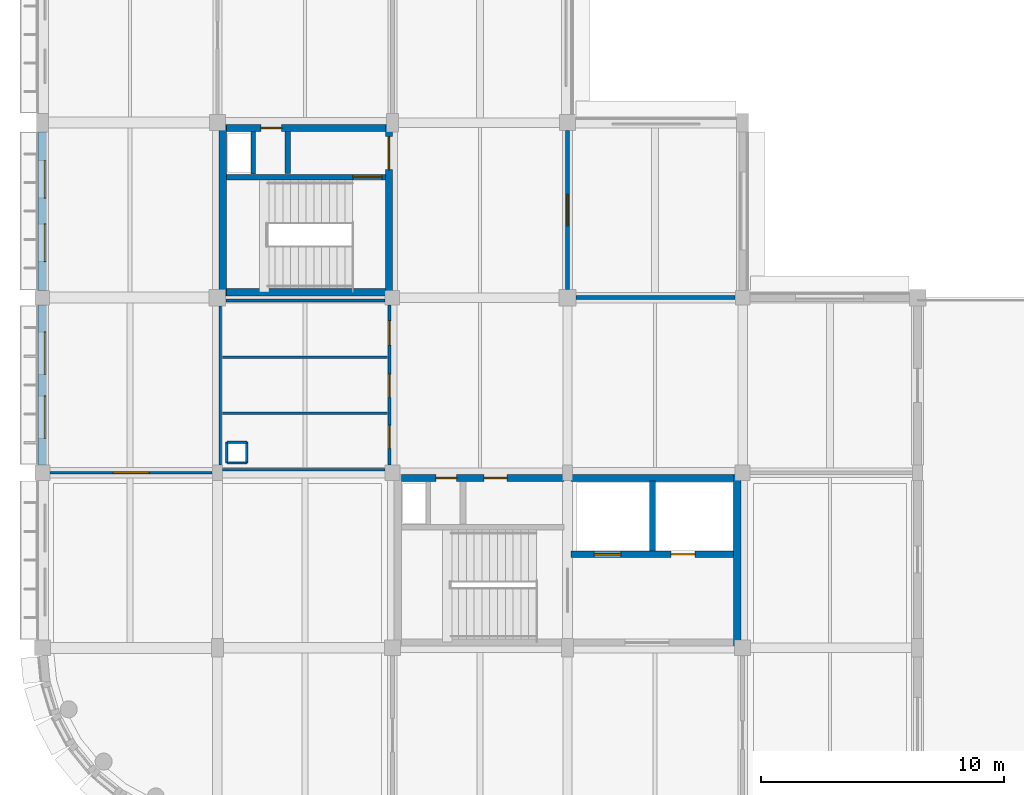
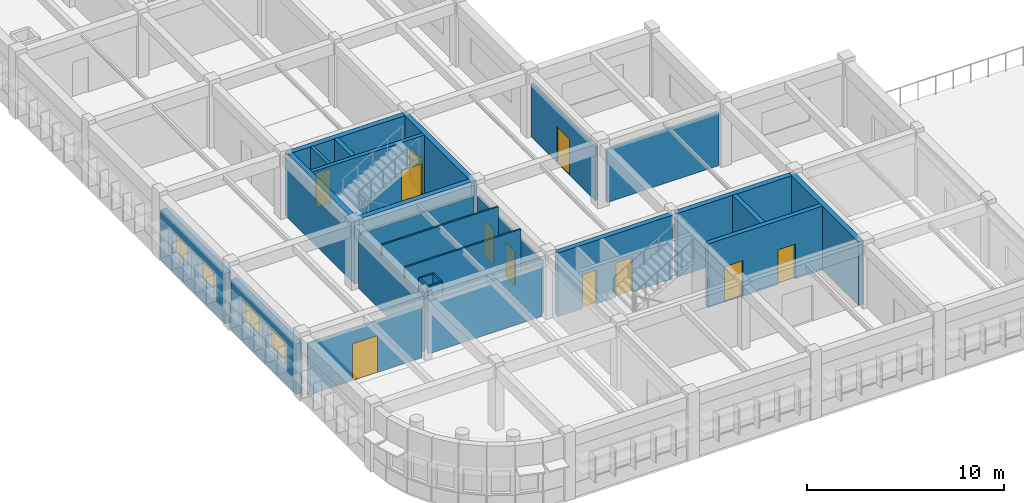
# One storey, part 81 of 103: 27 walls, 12 doors, 4 windows, 16 openings.
"""IFC4 building model written with IfcOpenShell, lengths in metres."""

from ifc_helpers import new_model, si_unit, direction, frame, frame_2d, origin, place, context, subcontext, project, spatial, rectangle, extrude, material, layer, layer_set, type_object, element, fill, save


model = new_model("IFC4")

# Units and contexts
model_context = context("Model", 3, precision=1e-05, world=origin(), true_north=direction((0.0, 1.0)))
body_context = subcontext(model_context, "Body", "Model", "MODEL_VIEW")
ifc_project = project(units=[si_unit("LENGTHUNIT", "METRE"), si_unit("AREAUNIT", "SQUARE_METRE"), si_unit("VOLUMEUNIT", "CUBIC_METRE"), si_unit("PLANEANGLEUNIT", "RADIAN"), si_unit("MASSUNIT", "GRAM", prefix="KILO")], contexts=[model_context])

# Site, building, storey
site_placement = place(None, origin())
site = spatial("IfcSite", under=ifc_project, at=site_placement, CompositionType="ELEMENT")
building_placement = place(site_placement, origin())
building = spatial("IfcBuilding", under=site, at=building_placement, Name="Thalmaran Polytechnic", CompositionType="ELEMENT")
storey_placement = place(building_placement, frame((0.0, 0.0, 14.39990234375)))
storey = spatial("IfcBuildingStorey", under=building, at=storey_placement, Name="L03", CompositionType="ELEMENT", Elevation=14.39990234375)

# Wall, openings, windows
ifc_material_1 = material(Name="Precast concrete C40/50", Category="concrete")
ifc_layer_1 = layer(ifc_material_1, 0.360107421875, Name="Precast concrete C40/50")
ifc_layer_set_1 = layer_set([ifc_layer_1], Name="Precast concrete C40/50")
wall_type_1 = type_object("IfcWallType", Name="WL-EW01", PredefinedType="STANDARD", material=ifc_layer_set_1)
wall_1_placement = place(storey_placement, frame((0.0, 14.7099609375, 0.0), z_axis=(0.0, 0.0, 1.0), x_axis=(0.0, 1.0, 0.0)))
wall_1 = element("IfcWall", 1, at=wall_1_placement, inside=storey, type_object=wall_type_1, Name="Exterior Precast Facade Wall L03-031", PredefinedType="STANDARD", context=body_context, shape_type="SweptSolid", body=[
    extrude(rectangle(XDim=6.590087890625, YDim=0.360107421875, at=frame_2d((3.294921875, 0.0))), origin(), (0.0, 0.0, 1.0), 3.135009765625),
])
opening_1_placement = place(wall_1_placement, frame((1.10205078125, 0.0, 1.14990234375)))
opening_1 = element("IfcOpeningElement", 2, at=opening_1_placement, cuts=wall_1, Name="Opening VW08", PredefinedType="OPENING", context=body_context, shape_type="SweptSolid", body=[
    extrude(rectangle(XDim=1.75, YDim=1.39990234375, at=frame_2d((0.875, 0.699951171875))), frame((0.0, 0.18994140625, 0.0), z_axis=(0.0, -1.0, 0.0), x_axis=(1.0, 0.0, 0.0)), (0.0, 0.0, 1.0), 0.380126953125),
])
opening_2_placement = place(wall_1_placement, frame((3.738037109375, 0.0, 1.14990234375)))
opening_2 = element("IfcOpeningElement", 3, at=opening_2_placement, cuts=wall_1, Name="Opening VW08", PredefinedType="OPENING", context=body_context, shape_type="SweptSolid", body=[
    extrude(rectangle(XDim=1.75, YDim=1.39990234375, at=frame_2d((0.875, 0.699951171875))), frame((0.0, 0.18994140625, 0.0), z_axis=(0.0, -1.0, 0.0), x_axis=(1.0, 0.0, 0.0)), (0.0, 0.0, 1.0), 0.380126953125),
])
ifc_material_2 = material(Name="Thermally broken aluminium and double low-E glass", Category="aluminium")
window_type_1 = type_object("IfcWindowType", Name="WN-VZ08", PartitioningType="SINGLE_PANEL", PredefinedType="WINDOW", material=ifc_material_2)
window_1_placement = place(opening_1_placement, origin())
window_1 = element("IfcWindow", 4, at=window_1_placement, inside=storey, type_object=window_type_1, Name="Deep-Set Solar-Screened Window W-0422", OverallHeight=1.39990234375, OverallWidth=1.75, PartitioningType="SINGLE_PANEL", PredefinedType="WINDOW", context=body_context, shape_type="SweptSolid", body=[
    extrude(rectangle(XDim=1.75, YDim=1.39990234375, at=frame_2d((0.875, 0.699951171875))), frame((0.0, -0.080078125, 0.0), z_axis=(0.0, -1.0, 0.0), x_axis=(1.0, 0.0, 0.0)), (0.0, 0.0, 1.0), 0.06005859375),
])
fill(opening_1, window_1)
window_2_placement = place(opening_2_placement, origin())
window_2 = element("IfcWindow", 5, at=window_2_placement, inside=storey, type_object=window_type_1, Name="Deep-Set Solar-Screened Window W-0423", OverallHeight=1.39990234375, OverallWidth=1.75, PartitioningType="SINGLE_PANEL", PredefinedType="WINDOW", context=body_context, shape_type="SweptSolid", body=[
    extrude(rectangle(XDim=1.75, YDim=1.39990234375, at=frame_2d((0.875, 0.699951171875))), frame((0.0, -0.080078125, 0.0), z_axis=(0.0, -1.0, 0.0), x_axis=(1.0, 0.0, 0.0)), (0.0, 0.0, 1.0), 0.06005859375),
])
fill(opening_2, window_2)

wall_2_placement = place(storey_placement, frame((0.0, 21.89990234375, 0.0), z_axis=(0.0, 0.0, 1.0), x_axis=(0.0, 1.0, 0.0)))
wall_2 = element("IfcWall", 6, at=wall_2_placement, inside=storey, type_object=wall_type_1, Name="Exterior Precast Facade Wall L03-032", PredefinedType="STANDARD", context=body_context, shape_type="SweptSolid", body=[
    extrude(rectangle(XDim=6.525146484375, YDim=0.360107421875, at=frame_2d((3.2626953125, 0.0))), origin(), (0.0, 0.0, 1.0), 3.135009765625),
])
opening_3_placement = place(wall_2_placement, frame((1.1826171875, 0.0, 1.14990234375)))
opening_3 = element("IfcOpeningElement", 7, at=opening_3_placement, cuts=wall_2, Name="Opening VW09", PredefinedType="OPENING", context=body_context, shape_type="SweptSolid", body=[
    extrude(rectangle(XDim=1.550048828125, YDim=1.35009765625, at=frame_2d((0.77490234375, 0.675048828125))), frame((0.0, 0.18994140625, 0.0), z_axis=(0.0, -1.0, 0.0), x_axis=(1.0, 0.0, 0.0)), (0.0, 0.0, 1.0), 0.380126953125),
])
opening_4_placement = place(wall_2_placement, frame((3.79248046875, 0.0, 1.14990234375)))
opening_4 = element("IfcOpeningElement", 8, at=opening_4_placement, cuts=wall_2, Name="Opening VW09", PredefinedType="OPENING", context=body_context, shape_type="SweptSolid", body=[
    extrude(rectangle(XDim=1.550048828125, YDim=1.35009765625, at=frame_2d((0.77490234375, 0.675048828125))), frame((0.0, 0.18994140625, 0.0), z_axis=(0.0, -1.0, 0.0), x_axis=(1.0, 0.0, 0.0)), (0.0, 0.0, 1.0), 0.380126953125),
])
window_type_2 = type_object("IfcWindowType", Name="WN-VZ09", PartitioningType="SINGLE_PANEL", PredefinedType="WINDOW", material=ifc_material_2)
window_3_placement = place(opening_3_placement, origin())
window_3 = element("IfcWindow", 9, at=window_3_placement, inside=storey, type_object=window_type_2, Name="Deep-Set Solar-Screened Window W-0424", OverallHeight=1.35009765625, OverallWidth=1.550048828125, PartitioningType="SINGLE_PANEL", PredefinedType="WINDOW", context=body_context, shape_type="SweptSolid", body=[
    extrude(rectangle(XDim=1.550048828125, YDim=1.35009765625, at=frame_2d((0.77490234375, 0.675048828125))), frame((0.0, -0.080078125, 0.0), z_axis=(0.0, -1.0, 0.0), x_axis=(1.0, 0.0, 0.0)), (0.0, 0.0, 1.0), 0.06005859375),
])
fill(opening_3, window_3)
window_4_placement = place(opening_4_placement, origin())
window_4 = element("IfcWindow", 10, at=window_4_placement, inside=storey, type_object=window_type_2, Name="Deep-Set Solar-Screened Window W-0425", OverallHeight=1.35009765625, OverallWidth=1.550048828125, PartitioningType="SINGLE_PANEL", PredefinedType="WINDOW", context=body_context, shape_type="SweptSolid", body=[
    extrude(rectangle(XDim=1.550048828125, YDim=1.35009765625, at=frame_2d((0.77490234375, 0.675048828125))), frame((0.0, -0.080078125, 0.0), z_axis=(0.0, -1.0, 0.0), x_axis=(1.0, 0.0, 0.0)), (0.0, 0.0, 1.0), 0.06005859375),
])
fill(opening_4, window_4)

# Walls
ifc_material_3 = material(Name="Autoclaved aerated masonry", Category="masonry")
ifc_layer_2 = layer(ifc_material_3, 0.25, Name="Autoclaved aerated masonry")
ifc_layer_set_2 = layer_set([ifc_layer_2], Name="Autoclaved aerated masonry")
wall_type_2 = type_object("IfcWallType", Name="WL-IW01", PredefinedType="PARTITIONING", material=ifc_layer_set_2)
wall_3_placement = place(storey_placement, frame((25.10009765625, 11.179931640625, 0.0), z_axis=(0.0, 0.0, 1.0), x_axis=(0.0, 1.0, 0.0)))
element("IfcWall", 11, at=wall_3_placement, inside=storey, type_object=wall_type_2, Name="Core C1 Shaft Dividing Wall L03", PredefinedType="PARTITIONING", context=body_context, shape_type="SweptSolid", body=[
    extrude(rectangle(XDim=2.8701171875, YDim=0.25, at=frame_2d((1.43505859375, 0.0))), origin(), (0.0, 0.0, 1.0), 3.940185546875),
])
ifc_layer_3 = layer(ifc_material_3, 0.22998046875, Name="Autoclaved aerated masonry")
ifc_layer_set_3 = layer_set([ifc_layer_3], Name="Autoclaved aerated masonry")
wall_type_3 = type_object("IfcWallType", Name="WL-IW02", PredefinedType="PARTITIONING", material=ifc_layer_set_3)
wall_4_placement = place(storey_placement, frame((10.10009765625, 26.699951171875, 0.0), z_axis=(0.0, 0.0, 1.0), x_axis=(0.0, 1.0, 0.0)))
element("IfcWall", 12, at=wall_4_placement, inside=storey, type_object=wall_type_3, Name="Core C3 Riser Partition L03", PredefinedType="PARTITIONING", context=body_context, shape_type="SweptSolid", body=[
    extrude(rectangle(XDim=1.739990234375, YDim=0.22998046875, at=frame_2d((0.8701171875, 0.0))), origin(), (0.0, 0.0, 1.0), 3.940185546875),
])
ifc_layer_4 = layer(ifc_material_3, 0.179931640625, Name="Autoclaved aerated masonry")
ifc_layer_set_4 = layer_set([ifc_layer_4], Name="Autoclaved aerated masonry")
wall_type_4 = type_object("IfcWallType", Name="WL-IW04", PredefinedType="PARTITIONING", material=ifc_layer_set_4)
wall_5_placement = place(storey_placement, frame((8.679931640625, 26.679931640625, 0.0), z_axis=(0.0, 0.0, 1.0), x_axis=(0.0, 1.0, 0.0)))
element("IfcWall", 13, at=wall_5_placement, inside=storey, type_object=wall_type_4, Name="Core C3 Riser Shaft Enclosure Wall L03", PredefinedType="PARTITIONING", context=body_context, shape_type="SweptSolid", body=[
    extrude(rectangle(XDim=1.760009765625, YDim=0.179931640625, at=frame_2d((0.8798828125, 0.0))), origin(), (0.0, 0.0, 1.0), 3.940185546875),
])

# Wall, opening, door
ifc_material_4 = material(Name="Gypsum acoustic partition")
ifc_layer_5 = layer(ifc_material_4, 0.159912109375, Name="Gypsum acoustic partition")
ifc_layer_set_5 = layer_set([ifc_layer_5], Name="Gypsum acoustic partition")
wall_type_5 = type_object("IfcWallType", Name="WL-IW05", PredefinedType="PARTITIONING", material=ifc_layer_set_5)
wall_6_placement = place(storey_placement, frame((21.60009765625, 21.945068359375, 0.0), z_axis=(0.0, 0.0, 1.0), x_axis=(0.0, 1.0, 0.0)))
wall_6 = element("IfcWall", 14, at=wall_6_placement, inside=storey, type_object=wall_type_5, Name="Interior Partition IW05 L03-026", PredefinedType="PARTITIONING", context=body_context, shape_type="SweptSolid", body=[
    extrude(rectangle(XDim=6.52490234375, YDim=0.159912109375, at=frame_2d((3.262451171875, 0.0))), origin(), (0.0, 0.0, 1.0), 3.31005859375),
])
opening_5_placement = place(wall_6_placement, frame((2.62255859375, 0.0, 0.0)))
opening_5 = element("IfcOpeningElement", 15, at=opening_5_placement, cuts=wall_6, Name="Opening D-L03-004-1-04-1", PredefinedType="OPENING", context=body_context, shape_type="SweptSolid", body=[
    extrude(rectangle(XDim=1.280029296875, YDim=2.239990234375, at=frame_2d((0.64013671875, 1.1201171875))), frame((0.0, 0.08984375, 0.0), z_axis=(0.0, -1.0, 0.0), x_axis=(1.0, 0.0, 0.0)), (0.0, 0.0, 1.0), 0.179931640625),
])
ifc_material_5 = material(Name="Powder-coated fire-rated steel", Category="steel")
door_type_1 = type_object("IfcDoorType", Name="DR-ZD10", OperationType="NOTDEFINED", PredefinedType="DOOR", material=ifc_material_5)
door_1_placement = place(opening_5_placement, origin())
door_1 = element("IfcDoor", 16, at=door_1_placement, inside=storey, type_object=door_type_1, Name="Environmental Engineering Laboratory L03-04 Door 1", OperationType="SINGLE_SWING_RIGHT", OverallHeight=2.239990234375, OverallWidth=1.280029296875, PredefinedType="DOOR", context=body_context, shape_type="SweptSolid", body=[
    extrude(rectangle(XDim=1.280029296875, YDim=2.239990234375, at=frame_2d((0.64013671875, 1.1201171875))), frame((0.0, 0.02490234375, 0.0), z_axis=(0.0, -1.0, 0.0), x_axis=(1.0, 0.0, 0.0)), (0.0, 0.0, 1.0), 0.050048828125),
])
fill(opening_5, door_1)

# Walls
wall_7_placement = place(storey_placement, frame((21.945068359375, 21.60009765625, 0.0), z_axis=(0.0, 0.0, 1.0), x_axis=(1.0, 0.0, 0.0)))
element("IfcWall", 17, at=wall_7_placement, inside=storey, type_object=wall_type_5, Name="Interior Partition IW05 L03-031", PredefinedType="PARTITIONING", context=body_context, shape_type="SweptSolid", body=[
    extrude(rectangle(XDim=6.550048828125, YDim=0.159912109375, at=frame_2d((3.27490234375, 0.0))), origin(), (0.0, 0.0, 1.0), 3.280029296875),
])
ifc_layer_6 = layer(ifc_material_4, 0.114990234375, Name="Gypsum acoustic partition")
ifc_layer_set_6 = layer_set([ifc_layer_6], Name="Gypsum acoustic partition")
wall_type_6 = type_object("IfcWallType", Name="WL-IW08", PredefinedType="PARTITIONING", material=ifc_layer_set_6)
wall_8_placement = place(storey_placement, frame((7.4150390625, 14.52001953125, 0.0), z_axis=(0.0, 0.0, 1.0), x_axis=(1.0, 0.0, 0.0)))
element("IfcWall", 18, at=wall_8_placement, inside=storey, type_object=wall_type_6, Name="Sanitary Core Wall L03-W1-S", PredefinedType="PARTITIONING", context=body_context, shape_type="SweptSolid", body=[
    extrude(rectangle(XDim=6.669921875, YDim=0.114990234375, at=frame_2d((3.3349609375, 0.0))), origin(), (0.0, 0.0, 1.0), 3.22021484375),
])
wall_9_placement = place(storey_placement, frame((7.544921875, 21.47998046875, 0.0), z_axis=(0.0, 0.0, 1.0), x_axis=(1.0, 0.0, 0.0)))
element("IfcWall", 19, at=wall_9_placement, inside=storey, type_object=wall_type_6, Name="Sanitary Core Wall L03-W1-N", PredefinedType="PARTITIONING", context=body_context, shape_type="SweptSolid", body=[
    extrude(rectangle(XDim=6.550048828125, YDim=0.114990234375, at=frame_2d((3.27490234375, 0.0))), origin(), (0.0, 0.0, 1.0), 3.22021484375),
])
wall_10_placement = place(storey_placement, frame((7.320068359375, 14.72509765625, 0.0), z_axis=(0.0, 0.0, 1.0), x_axis=(0.0, 1.0, 0.0)))
element("IfcWall", 20, at=wall_10_placement, inside=storey, type_object=wall_type_6, Name="Sanitary Side Wall L03-W1-W", PredefinedType="PARTITIONING", context=body_context, shape_type="SweptSolid", body=[
    extrude(rectangle(XDim=6.52978515625, YDim=0.114990234375, at=frame_2d((3.264892578125, 0.0))), origin(), (0.0, 0.0, 1.0), 3.2451171875),
])

# Wall, openings, doors
wall_11_placement = place(storey_placement, frame((14.280029296875, 14.715087890625, 0.0), z_axis=(0.0, 0.0, 1.0), x_axis=(0.0, 1.0, 0.0)))
wall_11 = element("IfcWall", 21, at=wall_11_placement, inside=storey, type_object=wall_type_6, Name="Sanitary Side Wall L03-W1-E", PredefinedType="PARTITIONING", context=body_context, shape_type="SweptSolid", body=[
    extrude(rectangle(XDim=6.579833984375, YDim=0.114990234375, at=frame_2d((3.2900390625, 0.0))), origin(), (0.0, 0.0, 1.0), 3.2451171875),
])
opening_6_placement = place(wall_11_placement, frame((0.68505859375, 0.0, 0.0)))
opening_6 = element("IfcOpeningElement", 22, at=opening_6_placement, cuts=wall_11, Name="Opening WD-L03-W1-1", PredefinedType="OPENING", context=body_context, shape_type="SweptSolid", body=[
    extrude(rectangle(XDim=0.949951171875, YDim=2.10009765625, at=frame_2d((0.47509765625, 1.050048828125))), frame((0.0, 0.0673828125, 0.0), z_axis=(0.0, -1.0, 0.0), x_axis=(1.0, 0.0, 0.0)), (0.0, 0.0, 1.0), 0.135009765625),
])
opening_7_placement = place(wall_11_placement, frame((2.784912109375, 0.0, 0.0)))
opening_7 = element("IfcOpeningElement", 23, at=opening_7_placement, cuts=wall_11, Name="Opening WD-L03-W1-2", PredefinedType="OPENING", context=body_context, shape_type="SweptSolid", body=[
    extrude(rectangle(XDim=0.949951171875, YDim=2.10009765625, at=frame_2d((0.47509765625, 1.050048828125))), frame((0.0, 0.0673828125, 0.0), z_axis=(0.0, -1.0, 0.0), x_axis=(1.0, 0.0, 0.0)), (0.0, 0.0, 1.0), 0.135009765625),
])
opening_8_placement = place(wall_11_placement, frame((4.93505859375, 0.0, 0.0)))
opening_8 = element("IfcOpeningElement", 24, at=opening_8_placement, cuts=wall_11, Name="Opening WD-L03-W1-3", PredefinedType="OPENING", context=body_context, shape_type="SweptSolid", body=[
    extrude(rectangle(XDim=1.0, YDim=2.14990234375, at=frame_2d((0.5, 1.074951171875))), frame((0.0, 0.0673828125, 0.0), z_axis=(0.0, -1.0, 0.0), x_axis=(1.0, 0.0, 0.0)), (0.0, 0.0, 1.0), 0.135009765625),
])
ifc_material_6 = material(Name="Acoustic hardwood", Category="wood")
door_type_2 = type_object("IfcDoorType", Name="DR-ID06", OperationType="NOTDEFINED", PredefinedType="DOOR", material=ifc_material_6)
door_2_placement = place(opening_8_placement, origin())
door_2 = element("IfcDoor", 25, at=door_2_placement, inside=storey, type_object=door_type_2, Name="Accessible WC Door L03-W1", OperationType="SINGLE_SWING_RIGHT", OverallHeight=2.14990234375, OverallWidth=1.0, PredefinedType="DOOR", context=body_context, shape_type="SweptSolid", body=[
    extrude(rectangle(XDim=1.0, YDim=2.14990234375, at=frame_2d((0.5, 1.074951171875))), frame((0.0, 0.02490234375, 0.0), z_axis=(0.0, -1.0, 0.0), x_axis=(1.0, 0.0, 0.0)), (0.0, 0.0, 1.0), 0.050048828125),
])
fill(opening_8, door_2)
ifc_material_7 = material(Name="Moisture-resistant laminate timber", Category="wood")
door_type_3 = type_object("IfcDoorType", Name="DR-ID07", OperationType="NOTDEFINED", PredefinedType="DOOR", material=ifc_material_7)
door_3_placement = place(opening_6_placement, origin())
door_3 = element("IfcDoor", 26, at=door_3_placement, inside=storey, type_object=door_type_3, Name="Male WC Door L03-W1", OperationType="SINGLE_SWING_RIGHT", OverallHeight=2.10009765625, OverallWidth=0.949951171875, PredefinedType="DOOR", context=body_context, shape_type="SweptSolid", body=[
    extrude(rectangle(XDim=0.949951171875, YDim=2.10009765625, at=frame_2d((0.47509765625, 1.050048828125))), frame((0.0, 0.02490234375, 0.0), z_axis=(0.0, -1.0, 0.0), x_axis=(1.0, 0.0, 0.0)), (0.0, 0.0, 1.0), 0.050048828125),
])
fill(opening_6, door_3)
door_4_placement = place(opening_7_placement, origin())
door_4 = element("IfcDoor", 27, at=door_4_placement, inside=storey, type_object=door_type_3, Name="Female WC Door L03-W1", OperationType="SINGLE_SWING_LEFT", OverallHeight=2.10009765625, OverallWidth=0.949951171875, PredefinedType="DOOR", context=body_context, shape_type="SweptSolid", body=[
    extrude(rectangle(XDim=0.949951171875, YDim=2.10009765625, at=frame_2d((0.47509765625, 1.050048828125))), frame((0.0, 0.02490234375, 0.0), z_axis=(0.0, -1.0, 0.0), x_axis=(1.0, 0.0, 0.0)), (0.0, 0.0, 1.0), 0.050048828125),
])
fill(opening_7, door_4)

# Wall, opening, door
wall_12_placement = place(storey_placement, frame((0.31494140625, 14.39990234375, 0.0), z_axis=(0.0, 0.0, 1.0), x_axis=(1.0, 0.0, 0.0)))
wall_12 = element("IfcWall", 28, at=wall_12_placement, inside=storey, type_object=wall_type_6, Name="Interior Partition IW08 L03-001", PredefinedType="PARTITIONING", context=body_context, shape_type="SweptSolid", body=[
    extrude(rectangle(XDim=6.670166015625, YDim=0.114990234375, at=frame_2d((3.3349609375, 0.0))), origin(), (0.0, 0.0, 1.0), 3.215087890625),
])
opening_9_placement = place(wall_12_placement, frame((2.594970703125, 0.0, 0.0)))
opening_9 = element("IfcOpeningElement", 29, at=opening_9_placement, cuts=wall_12, Name="Opening D-L03-003-1-03-1", PredefinedType="OPENING", context=body_context, shape_type="SweptSolid", body=[
    extrude(rectangle(XDim=1.47998046875, YDim=2.280029296875, at=frame_2d((0.739990234375, 1.14013671875))), frame((0.0, 0.0673828125, 0.0), z_axis=(0.0, -1.0, 0.0), x_axis=(1.0, 0.0, 0.0)), (0.0, 0.0, 1.0), 0.135009765625),
])
door_type_4 = type_object("IfcDoorType", Name="DR-ZD09", OperationType="NOTDEFINED", PredefinedType="DOOR", material=ifc_material_5)
door_5_placement = place(opening_9_placement, origin())
door_5 = element("IfcDoor", 30, at=door_5_placement, inside=storey, type_object=door_type_4, Name="Structural Models Design Studio L03-03 Door 1", OperationType="SINGLE_SWING_LEFT", OverallHeight=2.280029296875, OverallWidth=1.47998046875, PredefinedType="DOOR", context=body_context, shape_type="SweptSolid", body=[
    extrude(rectangle(XDim=1.47998046875, YDim=2.280029296875, at=frame_2d((0.739990234375, 1.14013671875))), frame((0.0, 0.02490234375, 0.0), z_axis=(0.0, -1.0, 0.0), x_axis=(1.0, 0.0, 0.0)), (0.0, 0.0, 1.0), 0.050048828125),
])
fill(opening_9, door_5)

# Walls
ifc_material_8 = material(Name="Moisture-resistant partition")
ifc_layer_7 = layer(ifc_material_8, 0.10009765625, Name="Moisture-resistant partition")
ifc_layer_set_7 = layer_set([ifc_layer_7], Name="Moisture-resistant partition")
wall_type_7 = type_object("IfcWallType", Name="WL-IW09", PredefinedType="PARTITIONING", material=ifc_layer_set_7)
for number, where, z_axis, x_axis, name in (
    (31, (7.39990234375, 16.85009765625, 0.0), (0.0, 0.0, 1.0), (1.0, 0.0, 0.0), "WC Partition L03-W1-1"),
    (32, (7.39990234375, 19.14990234375, 0.0), (0.0, 0.0, 1.0), (1.0, 0.0, 0.0), "WC Partition L03-W1-2"),
):
    element("IfcWall", number, at=place(storey_placement, frame(where, z_axis=z_axis, x_axis=x_axis)), inside=storey, type_object=wall_type_7, Name=name, PredefinedType="PARTITIONING", context=body_context, shape_type="SweptSolid", body=[
        extrude(rectangle(XDim=6.800048828125, YDim=0.10009765625, at=frame_2d((3.39990234375, 0.0))), origin(), (0.0, 0.0, 1.0), 3.940185546875),
    ])
wall_13_placement = place(storey_placement, frame((7.590087890625, 14.800048828125, 0.0), z_axis=(0.0, 0.0, 1.0), x_axis=(1.0, 0.0, 0.0)))
element("IfcWall", 33, at=wall_13_placement, inside=storey, type_object=wall_type_7, Name="Plumbing Riser Chase Wall L03-W1-S", PredefinedType="PARTITIONING", context=body_context, shape_type="SweptSolid", body=[
    extrude(rectangle(XDim=0.81982421875, YDim=0.10009765625, at=frame_2d((0.409912109375, 0.0))), origin(), (0.0, 0.0, 1.0), 3.940185546875),
])
wall_14_placement = place(storey_placement, frame((8.409912109375, 14.800048828125, 0.0), z_axis=(0.0, 0.0, 1.0), x_axis=(0.0, 1.0, 0.0)))
element("IfcWall", 34, at=wall_14_placement, inside=storey, type_object=wall_type_7, Name="Plumbing Riser Chase Wall L03-W1-E", PredefinedType="PARTITIONING", context=body_context, shape_type="SweptSolid", body=[
    extrude(rectangle(XDim=0.85986328125, YDim=0.10009765625, at=frame_2d((0.429931640625, 0.0))), origin(), (0.0, 0.0, 1.0), 3.940185546875),
])
wall_15_placement = place(storey_placement, frame((8.409912109375, 15.659912109375, 0.0), z_axis=(0.0, 0.0, 1.0), x_axis=(-1.0, 0.0, 0.0)))
element("IfcWall", 35, at=wall_15_placement, inside=storey, type_object=wall_type_7, Name="Plumbing Riser Chase Wall L03-W1-N", PredefinedType="PARTITIONING", context=body_context, shape_type="SweptSolid", body=[
    extrude(rectangle(XDim=0.81982421875, YDim=0.10009765625, at=frame_2d((0.409912109375, 0.0))), origin(), (0.0, 0.0, 1.0), 3.940185546875),
])
wall_16_placement = place(storey_placement, frame((7.590087890625, 15.659912109375, 0.0), z_axis=(0.0, 0.0, 1.0), x_axis=(0.0, -1.0, 0.0)))
element("IfcWall", 36, at=wall_16_placement, inside=storey, type_object=wall_type_7, Name="Plumbing Riser Chase Wall L03-W1-W", PredefinedType="PARTITIONING", context=body_context, shape_type="SweptSolid", body=[
    extrude(rectangle(XDim=0.85986328125, YDim=0.10009765625, at=frame_2d((0.429931640625, 0.0))), origin(), (0.0, 0.0, 1.0), 3.940185546875),
])

# Wall, openings, doors
ifc_material_9 = material(Name="Concrete C50/60", Category="concrete")
ifc_layer_8 = layer(ifc_material_9, 0.300048828125, Name="Concrete C50/60")
ifc_layer_set_8 = layer_set([ifc_layer_8], Name="Concrete C50/60")
wall_type_8 = type_object("IfcWallType", Name="WL-SW04", PredefinedType="SHEAR", material=ifc_layer_set_8)
wall_17_placement = place(storey_placement, frame((14.77001953125, 14.179931640625, 0.0), z_axis=(0.0, 0.0, 1.0), x_axis=(1.0, 0.0, 0.0)))
wall_17 = element("IfcWall", 37, at=wall_17_placement, inside=storey, type_object=wall_type_8, Name="Core C1 North Shear Wall L03", PredefinedType="SHEAR", context=body_context, shape_type="SweptSolid", body=[
    extrude(rectangle(XDim=6.679931640625, YDim=0.300048828125, at=frame_2d((3.33984375, 0.0))), origin(), (0.0, 0.0, 1.0), 3.940185546875),
])
opening_10_placement = place(wall_17_placement, frame((1.419921875, 0.0, 0.0)))
opening_10 = element("IfcOpeningElement", 38, at=opening_10_placement, cuts=wall_17, Name="Opening DR-C1-L03-R", PredefinedType="OPENING", context=body_context, shape_type="SweptSolid", body=[
    extrude(rectangle(XDim=0.85009765625, YDim=2.10009765625, at=frame_2d((0.425048828125, 1.050048828125))), frame((0.0, 0.159912109375, 0.0), z_axis=(0.0, -1.0, 0.0), x_axis=(1.0, 0.0, 0.0)), (0.0, 0.0, 1.0), 0.320068359375),
])
opening_11_placement = place(wall_17_placement, frame((3.39990234375, 0.0, 0.0)))
opening_11 = element("IfcOpeningElement", 39, at=opening_11_placement, cuts=wall_17, Name="Opening ED-C1-L03-E", PredefinedType="OPENING", context=body_context, shape_type="SweptSolid", body=[
    extrude(rectangle(XDim=0.949951171875, YDim=2.14990234375, at=frame_2d((0.47509765625, 1.074951171875))), frame((0.0, 0.159912109375, 0.0), z_axis=(0.0, -1.0, 0.0), x_axis=(1.0, 0.0, 0.0)), (0.0, 0.0, 1.0), 0.320068359375),
])
door_type_5 = type_object("IfcDoorType", Name="DR-FD08", OperationType="NOTDEFINED", PredefinedType="DOOR", material=ifc_material_5)
door_6_placement = place(opening_11_placement, origin())
door_6 = element("IfcDoor", 40, at=door_6_placement, inside=storey, type_object=door_type_5, Name="Electrical Riser Door C1 L03", OperationType="SINGLE_SWING_LEFT", OverallHeight=2.14990234375, OverallWidth=0.949951171875, PredefinedType="DOOR", context=body_context, shape_type="SweptSolid", body=[
    extrude(rectangle(XDim=0.949951171875, YDim=2.14990234375, at=frame_2d((0.47509765625, 1.074951171875))), frame((0.0, 0.02490234375, 0.0), z_axis=(0.0, -1.0, 0.0), x_axis=(1.0, 0.0, 0.0)), (0.0, 0.0, 1.0), 0.050048828125),
])
fill(opening_11, door_6)
door_type_6 = type_object("IfcDoorType", Name="DR-FD09", OperationType="NOTDEFINED", PredefinedType="DOOR", material=ifc_material_5)
door_7_placement = place(opening_10_placement, origin())
door_7 = element("IfcDoor", 41, at=door_7_placement, inside=storey, type_object=door_type_6, Name="Riser Access Fire Door C1 L03", OperationType="SINGLE_SWING_LEFT", OverallHeight=2.10009765625, OverallWidth=0.85009765625, PredefinedType="DOOR", context=body_context, shape_type="SweptSolid", body=[
    extrude(rectangle(XDim=0.85009765625, YDim=2.10009765625, at=frame_2d((0.425048828125, 1.050048828125))), frame((0.0, 0.02490234375, 0.0), z_axis=(0.0, -1.0, 0.0), x_axis=(1.0, 0.0, 0.0)), (0.0, 0.0, 1.0), 0.050048828125),
])
fill(opening_10, door_7)

# Walls
wall_18_placement = place(storey_placement, frame((28.580078125, 7.27001953125, 0.0), z_axis=(0.0, 0.0, 1.0), x_axis=(0.0, 1.0, 0.0)))
element("IfcWall", 42, at=wall_18_placement, inside=storey, type_object=wall_type_8, Name="Core C1 Lobby East Shear Wall L03", PredefinedType="SHEAR", context=body_context, shape_type="SweptSolid", body=[
    extrude(rectangle(XDim=7.06005859375, YDim=0.300048828125, at=frame_2d((3.530029296875, 0.0))), origin(), (0.0, 0.0, 1.0), 3.940185546875),
])
wall_19_placement = place(storey_placement, frame((21.75, 14.179931640625, 0.0), z_axis=(0.0, 0.0, 1.0), x_axis=(1.0, 0.0, 0.0)))
element("IfcWall", 43, at=wall_19_placement, inside=storey, type_object=wall_type_8, Name="Core C1 Lift Shaft Back Shear Wall L03", PredefinedType="SHEAR", context=body_context, shape_type="SweptSolid", body=[
    extrude(rectangle(XDim=6.679931640625, YDim=0.300048828125, at=frame_2d((3.33984375, 0.0))), origin(), (0.0, 0.0, 1.0), 3.940185546875),
])

# Wall, openings, doors
wall_20_placement = place(storey_placement, frame((21.75, 11.050048828125, 0.0), z_axis=(0.0, 0.0, 1.0), x_axis=(1.0, 0.0, 0.0)))
wall_20 = element("IfcWall", 44, at=wall_20_placement, inside=storey, type_object=wall_type_8, Name="Core C1 Lift Landing Front Wall L03", PredefinedType="SHEAR", context=body_context, shape_type="SweptSolid", body=[
    extrude(rectangle(XDim=6.679931640625, YDim=0.260009765625, at=frame_2d((3.33984375, 0.0))), origin(), (0.0, 0.0, 1.0), 3.940185546875),
])
opening_12_placement = place(wall_20_placement, frame((0.949951171875, 0.0, 0.0)))
opening_12 = element("IfcOpeningElement", 45, at=opening_12_placement, cuts=wall_20, Name="Opening LD-FL-01-L03", PredefinedType="OPENING", context=body_context, shape_type="SweptSolid", body=[
    extrude(rectangle(XDim=1.10009765625, YDim=2.199951171875, at=frame_2d((0.550048828125, 1.10009765625))), frame((0.0, 0.139892578125, 0.0), z_axis=(0.0, -1.0, 0.0), x_axis=(1.0, 0.0, 0.0)), (0.0, 0.0, 1.0), 0.280029296875),
])
opening_13_placement = place(wall_20_placement, frame((4.10009765625, 0.0, 0.0)))
opening_13 = element("IfcOpeningElement", 46, at=opening_13_placement, cuts=wall_20, Name="Opening LD-PL-01-L03", PredefinedType="OPENING", context=body_context, shape_type="SweptSolid", body=[
    extrude(rectangle(XDim=1.0, YDim=2.14990234375, at=frame_2d((0.5, 1.074951171875))), frame((0.0, 0.139892578125, 0.0), z_axis=(0.0, -1.0, 0.0), x_axis=(1.0, 0.0, 0.0)), (0.0, 0.0, 1.0), 0.280029296875),
])
ifc_material_10 = material(Name="Brushed stainless steel lift door", Category="steel")
door_type_7 = type_object("IfcDoorType", Name="DR-LD01", OperationType="NOTDEFINED", PredefinedType="DOOR", material=ifc_material_10)
door_8_placement = place(opening_12_placement, origin())
door_8 = element("IfcDoor", 47, at=door_8_placement, inside=storey, type_object=door_type_7, Name="Lift Landing Door FL-01 L03", OperationType="SLIDING_TO_LEFT", OverallHeight=2.199951171875, OverallWidth=1.10009765625, PredefinedType="DOOR", context=body_context, shape_type="SweptSolid", body=[
    extrude(rectangle(XDim=1.10009765625, YDim=2.199951171875, at=frame_2d((0.550048828125, 1.10009765625))), frame((0.0, 0.02490234375, 0.0), z_axis=(0.0, -1.0, 0.0), x_axis=(1.0, 0.0, 0.0)), (0.0, 0.0, 1.0), 0.050048828125),
])
fill(opening_12, door_8)
door_type_8 = type_object("IfcDoorType", Name="DR-LD02", OperationType="NOTDEFINED", PredefinedType="DOOR", material=ifc_material_10)
door_9_placement = place(opening_13_placement, origin())
door_9 = element("IfcDoor", 48, at=door_9_placement, inside=storey, type_object=door_type_8, Name="Lift Landing Door PL-01 L03", OperationType="SLIDING_TO_RIGHT", OverallHeight=2.14990234375, OverallWidth=1.0, PredefinedType="DOOR", context=body_context, shape_type="SweptSolid", body=[
    extrude(rectangle(XDim=1.0, YDim=2.14990234375, at=frame_2d((0.5, 1.074951171875))), frame((0.0, 0.02490234375, 0.0), z_axis=(0.0, -1.0, 0.0), x_axis=(1.0, 0.0, 0.0)), (0.0, 0.0, 1.0), 0.050048828125),
])
fill(opening_13, door_9)

# Walls
wall_21_placement = place(storey_placement, frame((7.570068359375, 21.820068359375, 0.0), z_axis=(0.0, 0.0, 1.0), x_axis=(1.0, 0.0, 0.0)))
element("IfcWall", 49, at=wall_21_placement, inside=storey, type_object=wall_type_8, Name="Core C3 South Shear Wall L03", PredefinedType="SHEAR", context=body_context, shape_type="SweptSolid", body=[
    extrude(rectangle(XDim=6.5400390625, YDim=0.300048828125, at=frame_2d((3.27001953125, 0.0))), origin(), (0.0, 0.0, 1.0), 3.940185546875),
])
wall_22_placement = place(storey_placement, frame((7.419921875, 28.72998046875, 0.0), z_axis=(0.0, 0.0, 1.0), x_axis=(0.0, -1.0, 0.0)))
element("IfcWall", 50, at=wall_22_placement, inside=storey, type_object=wall_type_8, Name="Core C3 West Shear Wall L03", PredefinedType="SHEAR", context=body_context, shape_type="SweptSolid", body=[
    extrude(rectangle(XDim=7.06005859375, YDim=0.300048828125, at=frame_2d((3.530029296875, 0.0))), origin(), (0.0, 0.0, 1.0), 3.940185546875),
])

# Wall, opening, door
wall_23_placement = place(storey_placement, frame((7.570068359375, 28.580078125, 0.0), z_axis=(0.0, 0.0, 1.0), x_axis=(1.0, 0.0, 0.0)))
wall_23 = element("IfcWall", 51, at=wall_23_placement, inside=storey, type_object=wall_type_8, Name="Core C3 North Shear Wall L03", PredefinedType="SHEAR", context=body_context, shape_type="SweptSolid", body=[
    extrude(rectangle(XDim=6.5400390625, YDim=0.300048828125, at=frame_2d((3.27001953125, 0.0))), origin(), (0.0, 0.0, 1.0), 3.940185546875),
])
opening_14_placement = place(wall_23_placement, frame((1.419921875, 0.0, 0.0)))
opening_14 = element("IfcOpeningElement", 52, at=opening_14_placement, cuts=wall_23, Name="Opening DR-C3-L03-R", PredefinedType="OPENING", context=body_context, shape_type="SweptSolid", body=[
    extrude(rectangle(XDim=0.85009765625, YDim=2.10009765625, at=frame_2d((0.425048828125, 1.050048828125))), frame((0.0, 0.159912109375, 0.0), z_axis=(0.0, -1.0, 0.0), x_axis=(1.0, 0.0, 0.0)), (0.0, 0.0, 1.0), 0.320068359375),
])
door_10_placement = place(opening_14_placement, origin())
door_10 = element("IfcDoor", 53, at=door_10_placement, inside=storey, type_object=door_type_6, Name="Riser Access Fire Door C3 L03", OperationType="SINGLE_SWING_RIGHT", OverallHeight=2.10009765625, OverallWidth=0.85009765625, PredefinedType="DOOR", context=body_context, shape_type="SweptSolid", body=[
    extrude(rectangle(XDim=0.85009765625, YDim=2.10009765625, at=frame_2d((0.425048828125, 1.050048828125))), frame((0.0, 0.02490234375, 0.0), z_axis=(0.0, -1.0, 0.0), x_axis=(1.0, 0.0, 0.0)), (0.0, 0.0, 1.0), 0.050048828125),
])
fill(opening_14, door_10)

wall_24_placement = place(storey_placement, frame((7.570068359375, 26.56005859375, 0.0), z_axis=(0.0, 0.0, 1.0), x_axis=(1.0, 0.0, 0.0)))
wall_24 = element("IfcWall", 54, at=wall_24_placement, inside=storey, type_object=wall_type_8, Name="Core C3 Stair Partition L03", PredefinedType="SHEAR", context=body_context, shape_type="SweptSolid", body=[
    extrude(rectangle(XDim=6.5400390625, YDim=0.219970703125, at=frame_2d((3.27001953125, 0.0))), origin(), (0.0, 0.0, 1.0), 3.940185546875),
])
opening_15_placement = place(wall_24_placement, frame((5.199951171875, 0.0, 0.0)))
opening_15 = element("IfcOpeningElement", 55, at=opening_15_placement, cuts=wall_24, Name="Opening SD-ST3-L03", PredefinedType="OPENING", context=body_context, shape_type="SweptSolid", body=[
    extrude(rectangle(XDim=1.199951171875, YDim=2.199951171875, at=frame_2d((0.60009765625, 1.10009765625))), frame((0.0, 0.119873046875, 0.0), z_axis=(0.0, -1.0, 0.0), x_axis=(1.0, 0.0, 0.0)), (0.0, 0.0, 1.0), 0.239990234375),
])
door_type_9 = type_object("IfcDoorType", Name="DR-FD04", OperationType="NOTDEFINED", PredefinedType="DOOR", material=ifc_material_5)
door_11_placement = place(opening_15_placement, origin())
door_11 = element("IfcDoor", 56, at=door_11_placement, inside=storey, type_object=door_type_9, Name="Exit Stair Fire Door ST3 L03", OperationType="DOUBLE_DOOR_SINGLE_SWING", OverallHeight=2.199951171875, OverallWidth=1.199951171875, PredefinedType="DOOR", context=body_context, shape_type="SweptSolid", body=[
    extrude(rectangle(XDim=1.199951171875, YDim=2.199951171875, at=frame_2d((0.60009765625, 1.10009765625))), frame((0.0, 0.02490234375, 0.0), z_axis=(0.0, -1.0, 0.0), x_axis=(1.0, 0.0, 0.0)), (0.0, 0.0, 1.0), 0.050048828125),
])
fill(opening_15, door_11)

wall_25_placement = place(storey_placement, frame((14.260009765625, 21.669921875, 0.0), z_axis=(0.0, 0.0, 1.0), x_axis=(0.0, 1.0, 0.0)))
wall_25 = element("IfcWall", 57, at=wall_25_placement, inside=storey, type_object=wall_type_8, Name="Core C3 East Shear Wall L03", PredefinedType="SHEAR", context=body_context, shape_type="SweptSolid", body=[
    extrude(rectangle(XDim=7.06005859375, YDim=0.300048828125, at=frame_2d((3.530029296875, 0.0))), origin(), (0.0, 0.0, 1.0), 3.940185546875),
])
opening_16_placement = place(wall_25_placement, frame((5.199951171875, 0.0, 0.0)))
opening_16 = element("IfcOpeningElement", 58, at=opening_16_placement, cuts=wall_25, Name="Opening LD-C3-L03", PredefinedType="OPENING", context=body_context, shape_type="SweptSolid", body=[
    extrude(rectangle(XDim=1.35009765625, YDim=2.14990234375, at=frame_2d((0.675048828125, 1.074951171875))), frame((0.0, 0.159912109375, 0.0), z_axis=(0.0, -1.0, 0.0), x_axis=(1.0, 0.0, 0.0)), (0.0, 0.0, 1.0), 0.320068359375),
])
door_type_10 = type_object("IfcDoorType", Name="DR-FD06", OperationType="NOTDEFINED", PredefinedType="DOOR", material=ifc_material_5)
door_12_placement = place(opening_16_placement, origin())
door_12 = element("IfcDoor", 59, at=door_12_placement, inside=storey, type_object=door_type_10, Name="Stair Lobby Fire Door C3 L03", OperationType="SINGLE_SWING_LEFT", OverallHeight=2.14990234375, OverallWidth=1.35009765625, PredefinedType="DOOR", context=body_context, shape_type="SweptSolid", body=[
    extrude(rectangle(XDim=1.35009765625, YDim=2.14990234375, at=frame_2d((0.675048828125, 1.074951171875))), frame((0.0, 0.02490234375, 0.0), z_axis=(0.0, -1.0, 0.0), x_axis=(1.0, 0.0, 0.0)), (0.0, 0.0, 1.0), 0.050048828125),
])
fill(opening_16, door_12)

save(model, "model.ifc")
